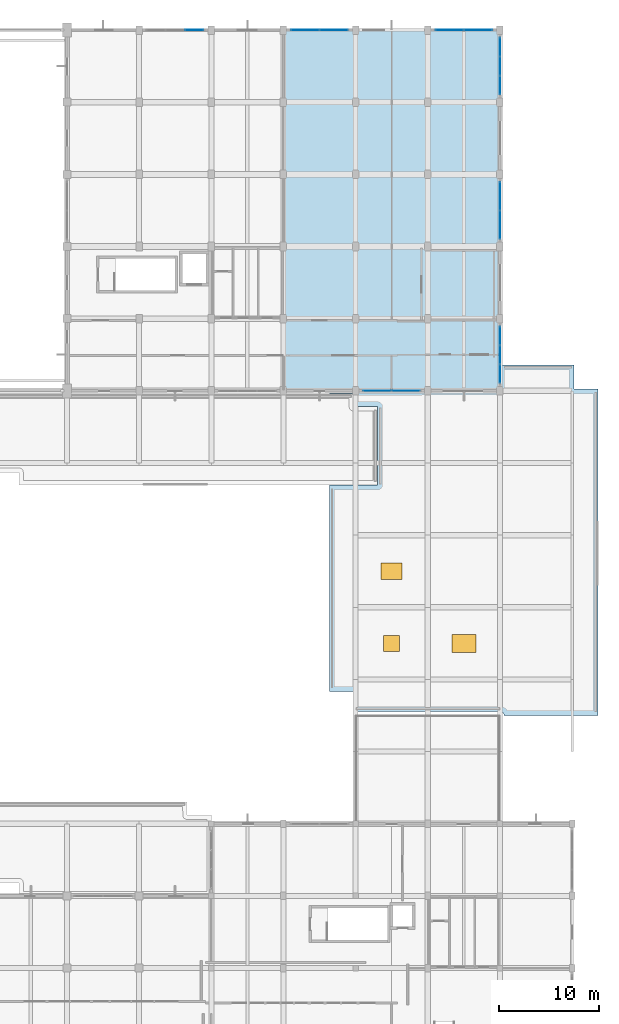
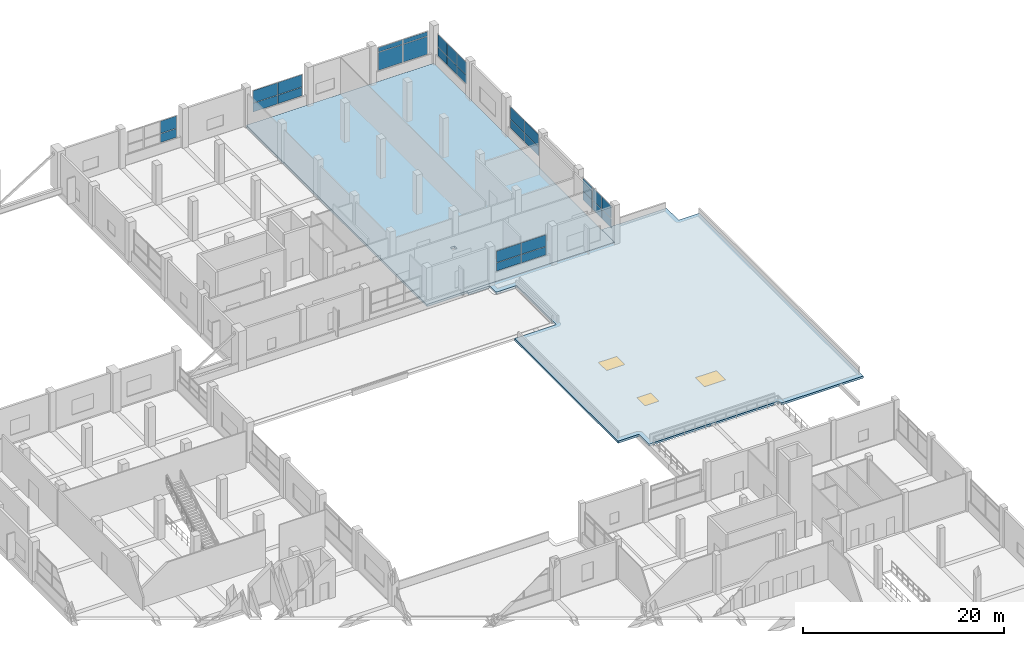
# One storey, part 115 of 140: 30 plates, 3 windows, 2 slabs, 3 openings, 7 elements without a shape of their own.
"""IFC4 building model written with IfcOpenShell, lengths in metres."""

from ifc_helpers import new_model, si_unit, direction, frame, origin, origin_2d, place, context, subcontext, project, spatial, polyline, rectangle, outline, extrude, material, layer, layer_set, type_object, element, fill, aggregate, save


model = new_model("IFC4")

# Units and contexts
model_context = context("Model", 3, precision=1e-05, world=origin(), true_north=direction((0.0, 1.0)))
body_context = subcontext(model_context, "Body", "Model", "MODEL_VIEW")
ifc_project = project(units=[si_unit("LENGTHUNIT", "METRE"), si_unit("AREAUNIT", "SQUARE_METRE"), si_unit("VOLUMEUNIT", "CUBIC_METRE"), si_unit("PLANEANGLEUNIT", "RADIAN"), si_unit("MASSUNIT", "GRAM", prefix="KILO")], contexts=[model_context])

# Site, building, storey
site_placement = place(None, origin())
site = spatial("IfcSite", under=ifc_project, at=site_placement, CompositionType="ELEMENT")
building_placement = place(site_placement, origin())
building = spatial("IfcBuilding", under=site, at=building_placement, Name="Seraya Terrace Polytechnic", CompositionType="ELEMENT")
storey_placement = place(building_placement, frame((0.0, 0.0, 9.60009765625)))
storey = spatial("IfcBuildingStorey", under=building, at=storey_placement, Name="L02", CompositionType="ELEMENT", Elevation=9.60009765625)

# Curtain wall, plates
ifc_material_1 = material(Name="Anodised aluminium EN AW-6063 T6", Category="aluminium")
ifc_layer_1 = layer(ifc_material_1, 0.179931640625, Name="CW-19")
ifc_layer_set_1 = layer_set([ifc_layer_1], Name="Anodised aluminium EN AW-6063 T6")
curtain_wall_type_1 = type_object("IfcCurtainWallType", Name="CW-19", PredefinedType="NOTDEFINED", material=ifc_layer_set_1)
curtain_wall_1_placement = place(storey_placement, origin())
curtain_wall_1 = element("IfcCurtainWall", 1, at=curtain_wall_1_placement, inside=storey, type_object=curtain_wall_type_1, Name="Unitised curtain wall CW-19 (CW-L02-091)", PredefinedType="NOTDEFINED")
ifc_material_2 = material(Name="Laminated solar-control Low-E double glazing", Category="glass")
ifc_layer_2 = layer(ifc_material_2, 0.028076171875, Name="CWP-01")
ifc_layer_set_2 = layer_set([ifc_layer_2], Name="Laminated solar-control Low-E double glazing")
plate_type_1 = type_object("IfcPlateType", Name="CWP-01", PredefinedType="CURTAIN_PANEL", material=ifc_layer_set_2)
plate_1_placement = place(storey_placement, frame((158.39990234375, 84.703857421875, 1.2998046875), z_axis=(0.0, 0.0, 1.0), x_axis=(0.0, -1.0, 0.0)))
plate_1 = element("IfcPlate", 2, at=plate_1_placement, type_object=plate_type_1, Name="CW-19 panel 1.1", PredefinedType="CURTAIN_PANEL", context=body_context, shape_type="SweptSolid", body=[
    extrude(rectangle(XDim=1.822509765625, YDim=0.028076171875, at=origin_2d()), origin(), (0.0, 0.0, 1.0), 1.073486328125),
])
plate_2_placement = place(storey_placement, frame((158.39990234375, 84.703857421875, 2.433349609375), z_axis=(0.0, 0.0, 1.0), x_axis=(0.0, -1.0, 0.0)))
plate_2 = element("IfcPlate", 3, at=plate_2_placement, type_object=plate_type_1, Name="CW-19 panel 1.2", PredefinedType="CURTAIN_PANEL", context=body_context, shape_type="SweptSolid", body=[
    extrude(rectangle(XDim=1.822509765625, YDim=0.028076171875, at=origin_2d()), origin(), (0.0, 0.0, 1.0), 1.5166015625),
])
plate_3_placement = place(storey_placement, frame((158.39990234375, 82.800048828125, 1.2998046875), z_axis=(0.0, 0.0, 1.0), x_axis=(0.0, -1.0, 0.0)))
plate_3 = element("IfcPlate", 4, at=plate_3_placement, type_object=plate_type_1, Name="CW-19 panel 2.1", PredefinedType="CURTAIN_PANEL", context=body_context, shape_type="SweptSolid", body=[
    extrude(rectangle(XDim=1.85498046875, YDim=0.028076171875, at=origin_2d()), origin(), (0.0, 0.0, 1.0), 1.073486328125),
])
plate_4_placement = place(storey_placement, frame((158.39990234375, 82.800048828125, 2.433349609375), z_axis=(0.0, 0.0, 1.0), x_axis=(0.0, -1.0, 0.0)))
plate_4 = element("IfcPlate", 5, at=plate_4_placement, type_object=plate_type_1, Name="CW-19 panel 2.2", PredefinedType="CURTAIN_PANEL", context=body_context, shape_type="SweptSolid", body=[
    extrude(rectangle(XDim=1.85498046875, YDim=0.028076171875, at=origin_2d()), origin(), (0.0, 0.0, 1.0), 1.5166015625),
])
plate_5_placement = place(storey_placement, frame((158.39990234375, 80.896240234375, 1.2998046875), z_axis=(0.0, 0.0, 1.0), x_axis=(0.0, -1.0, 0.0)))
plate_5 = element("IfcPlate", 6, at=plate_5_placement, type_object=plate_type_1, Name="CW-19 panel 3.1", PredefinedType="CURTAIN_PANEL", context=body_context, shape_type="SweptSolid", body=[
    extrude(rectangle(XDim=1.822509765625, YDim=0.028076171875, at=origin_2d()), origin(), (0.0, 0.0, 1.0), 1.073486328125),
])
plate_6_placement = place(storey_placement, frame((158.39990234375, 80.896240234375, 2.433349609375), z_axis=(0.0, 0.0, 1.0), x_axis=(0.0, -1.0, 0.0)))
plate_6 = element("IfcPlate", 7, at=plate_6_placement, type_object=plate_type_1, Name="CW-19 panel 3.2", PredefinedType="CURTAIN_PANEL", context=body_context, shape_type="SweptSolid", body=[
    extrude(rectangle(XDim=1.822509765625, YDim=0.028076171875, at=origin_2d()), origin(), (0.0, 0.0, 1.0), 1.5166015625),
])
aggregate(curtain_wall_1, [plate_1, plate_2, plate_3, plate_4, plate_5, plate_6])

ifc_layer_3 = layer(ifc_material_1, 0.179931640625, Name="CW-25")
ifc_layer_set_3 = layer_set([ifc_layer_3], Name="Anodised aluminium EN AW-6063 T6")
curtain_wall_type_2 = type_object("IfcCurtainWallType", Name="CW-25", PredefinedType="NOTDEFINED", material=ifc_layer_set_3)
curtain_wall_2_placement = place(storey_placement, origin())
curtain_wall_2 = element("IfcCurtainWall", 8, at=curtain_wall_2_placement, inside=storey, type_object=curtain_wall_type_2, Name="Unitised curtain wall CW-25 (CW-L02-097)", PredefinedType="NOTDEFINED")
plate_7_placement = place(storey_placement, frame((153.376220703125, 115.199951171875, 1.2998046875), z_axis=(0.0, 0.0, 1.0), x_axis=(1.0, 0.0, 0.0)))
plate_7 = element("IfcPlate", 9, at=plate_7_placement, type_object=plate_type_1, Name="CW-25 panel 1.1", PredefinedType="CURTAIN_PANEL", context=body_context, shape_type="SweptSolid", body=[
    extrude(rectangle(XDim=2.782470703125, YDim=0.028076171875, at=origin_2d()), origin(), (0.0, 0.0, 1.0), 2.159912109375),
])
plate_8_placement = place(storey_placement, frame((153.376220703125, 115.199951171875, 3.52001953125), z_axis=(0.0, 0.0, 1.0), x_axis=(1.0, 0.0, 0.0)))
plate_8 = element("IfcPlate", 10, at=plate_8_placement, type_object=plate_type_1, Name="CW-25 panel 1.2", PredefinedType="CURTAIN_PANEL", context=body_context, shape_type="SweptSolid", body=[
    extrude(rectangle(XDim=2.782470703125, YDim=0.028076171875, at=origin_2d()), origin(), (0.0, 0.0, 1.0), 0.530029296875),
])
plate_9_placement = place(storey_placement, frame((156.2236328125, 115.199951171875, 1.2998046875), z_axis=(0.0, 0.0, 1.0), x_axis=(1.0, 0.0, 0.0)))
plate_9 = element("IfcPlate", 11, at=plate_9_placement, type_object=plate_type_1, Name="CW-25 panel 2.1", PredefinedType="CURTAIN_PANEL", context=body_context, shape_type="SweptSolid", body=[
    extrude(rectangle(XDim=2.782470703125, YDim=0.028076171875, at=origin_2d()), origin(), (0.0, 0.0, 1.0), 2.159912109375),
])
plate_10_placement = place(storey_placement, frame((156.2236328125, 115.199951171875, 3.52001953125), z_axis=(0.0, 0.0, 1.0), x_axis=(1.0, 0.0, 0.0)))
plate_10 = element("IfcPlate", 12, at=plate_10_placement, type_object=plate_type_1, Name="CW-25 panel 2.2", PredefinedType="CURTAIN_PANEL", context=body_context, shape_type="SweptSolid", body=[
    extrude(rectangle(XDim=2.782470703125, YDim=0.028076171875, at=origin_2d()), origin(), (0.0, 0.0, 1.0), 0.530029296875),
])
aggregate(curtain_wall_2, [plate_7, plate_8, plate_9, plate_10])

ifc_layer_4 = layer(ifc_material_1, 0.179931640625, Name="CW-17")
ifc_layer_set_4 = layer_set([ifc_layer_4], Name="Anodised aluminium EN AW-6063 T6")
curtain_wall_type_3 = type_object("IfcCurtainWallType", Name="CW-17", PredefinedType="NOTDEFINED", material=ifc_layer_set_4)
curtain_wall_3_placement = place(storey_placement, origin())
curtain_wall_3 = element("IfcCurtainWall", 13, at=curtain_wall_3_placement, inside=storey, type_object=curtain_wall_type_3, Name="Unitised curtain wall CW-17 (CW-L02-089)", PredefinedType="NOTDEFINED")
ifc_layer_5 = layer(ifc_material_2, 0.031982421875, Name="CWP-02")
ifc_layer_set_5 = layer_set([ifc_layer_5], Name="Laminated solar-control Low-E double glazing")
plate_type_2 = type_object("IfcPlateType", Name="CWP-02", PredefinedType="CURTAIN_PANEL", material=ifc_layer_set_5)
plate_11_placement = place(storey_placement, frame((158.39990234375, 113.5048828125, 1.2998046875), z_axis=(0.0, 0.0, 1.0), x_axis=(0.0, -1.0, 0.0)))
plate_11 = element("IfcPlate", 14, at=plate_11_placement, type_object=plate_type_2, Name="CW-17 panel 1.1", PredefinedType="CURTAIN_PANEL", context=body_context, shape_type="SweptSolid", body=[
    extrude(rectangle(XDim=1.830078125, YDim=0.031982421875, at=origin_2d()), origin(), (0.0, 0.0, 1.0), 1.052490234375),
])
plate_12_placement = place(storey_placement, frame((158.39990234375, 113.5048828125, 2.412109375), z_axis=(0.0, 0.0, 1.0), x_axis=(0.0, -1.0, 0.0)))
plate_12 = element("IfcPlate", 15, at=plate_12_placement, type_object=plate_type_2, Name="CW-17 panel 1.2", PredefinedType="CURTAIN_PANEL", context=body_context, shape_type="SweptSolid", body=[
    extrude(rectangle(XDim=1.830078125, YDim=0.031982421875, at=origin_2d()), origin(), (0.0, 0.0, 1.0), 1.487548828125),
])
plate_13_placement = place(storey_placement, frame((158.39990234375, 111.60009765625, 1.2998046875), z_axis=(0.0, 0.0, 1.0), x_axis=(0.0, -1.0, 0.0)))
plate_13 = element("IfcPlate", 16, at=plate_13_placement, type_object=plate_type_2, Name="CW-17 panel 2.1", PredefinedType="CURTAIN_PANEL", context=body_context, shape_type="SweptSolid", body=[
    extrude(rectangle(XDim=1.860107421875, YDim=0.031982421875, at=origin_2d()), origin(), (0.0, 0.0, 1.0), 1.052490234375),
])
plate_14_placement = place(storey_placement, frame((158.39990234375, 111.60009765625, 2.412109375), z_axis=(0.0, 0.0, 1.0), x_axis=(0.0, -1.0, 0.0)))
plate_14 = element("IfcPlate", 17, at=plate_14_placement, type_object=plate_type_2, Name="CW-17 panel 2.2", PredefinedType="CURTAIN_PANEL", context=body_context, shape_type="SweptSolid", body=[
    extrude(rectangle(XDim=1.860107421875, YDim=0.031982421875, at=origin_2d()), origin(), (0.0, 0.0, 1.0), 1.487548828125),
])
plate_15_placement = place(storey_placement, frame((158.39990234375, 109.695068359375, 1.2998046875), z_axis=(0.0, 0.0, 1.0), x_axis=(0.0, -1.0, 0.0)))
plate_15 = element("IfcPlate", 18, at=plate_15_placement, type_object=plate_type_2, Name="CW-17 panel 3.1", PredefinedType="CURTAIN_PANEL", context=body_context, shape_type="SweptSolid", body=[
    extrude(rectangle(XDim=1.830078125, YDim=0.031982421875, at=origin_2d()), origin(), (0.0, 0.0, 1.0), 1.052490234375),
])
plate_16_placement = place(storey_placement, frame((158.39990234375, 109.695068359375, 2.412109375), z_axis=(0.0, 0.0, 1.0), x_axis=(0.0, -1.0, 0.0)))
plate_16 = element("IfcPlate", 19, at=plate_16_placement, type_object=plate_type_2, Name="CW-17 panel 3.2", PredefinedType="CURTAIN_PANEL", context=body_context, shape_type="SweptSolid", body=[
    extrude(rectangle(XDim=1.830078125, YDim=0.031982421875, at=origin_2d()), origin(), (0.0, 0.0, 1.0), 1.487548828125),
])
aggregate(curtain_wall_3, [plate_11, plate_12, plate_13, plate_14, plate_15, plate_16])

ifc_layer_6 = layer(ifc_material_1, 0.179931640625, Name="CW-20")
ifc_layer_set_6 = layer_set([ifc_layer_6], Name="Anodised aluminium EN AW-6063 T6")
curtain_wall_type_4 = type_object("IfcCurtainWallType", Name="CW-20", PredefinedType="NOTDEFINED", material=ifc_layer_set_6)
curtain_wall_4_placement = place(storey_placement, origin())
curtain_wall_4 = element("IfcCurtainWall", 20, at=curtain_wall_4_placement, inside=storey, type_object=curtain_wall_type_4, Name="Unitised curtain wall CW-20 (CW-L02-092)", PredefinedType="NOTDEFINED")
plate_17_placement = place(storey_placement, frame((149.02490234375, 79.199951171875, 1.2998046875), z_axis=(0.0, 0.0, 1.0), x_axis=(-1.0, 0.0, 0.0)))
plate_17 = element("IfcPlate", 21, at=plate_17_placement, type_object=plate_type_2, Name="CW-20 panel 1.1", PredefinedType="CURTAIN_PANEL", context=body_context, shape_type="SweptSolid", body=[
    extrude(rectangle(XDim=2.7900390625, YDim=0.031982421875, at=origin_2d()), origin(), (0.0, 0.0, 1.0), 0.976806640625),
])
plate_18_placement = place(storey_placement, frame((149.02490234375, 79.199951171875, 2.336669921875), z_axis=(0.0, 0.0, 1.0), x_axis=(-1.0, 0.0, 0.0)))
plate_18 = element("IfcPlate", 22, at=plate_18_placement, type_object=plate_type_2, Name="CW-20 panel 1.2", PredefinedType="CURTAIN_PANEL", context=body_context, shape_type="SweptSolid", body=[
    extrude(rectangle(XDim=2.7900390625, YDim=0.031982421875, at=origin_2d()), origin(), (0.0, 0.0, 1.0), 1.38330078125),
])
plate_19_placement = place(storey_placement, frame((146.175048828125, 79.199951171875, 1.2998046875), z_axis=(0.0, 0.0, 1.0), x_axis=(-1.0, 0.0, 0.0)))
plate_19 = element("IfcPlate", 23, at=plate_19_placement, type_object=plate_type_2, Name="CW-20 panel 2.1", PredefinedType="CURTAIN_PANEL", context=body_context, shape_type="SweptSolid", body=[
    extrude(rectangle(XDim=2.7900390625, YDim=0.031982421875, at=origin_2d()), origin(), (0.0, 0.0, 1.0), 0.976806640625),
])
plate_20_placement = place(storey_placement, frame((146.175048828125, 79.199951171875, 2.336669921875), z_axis=(0.0, 0.0, 1.0), x_axis=(-1.0, 0.0, 0.0)))
plate_20 = element("IfcPlate", 24, at=plate_20_placement, type_object=plate_type_2, Name="CW-20 panel 2.2", PredefinedType="CURTAIN_PANEL", context=body_context, shape_type="SweptSolid", body=[
    extrude(rectangle(XDim=2.7900390625, YDim=0.031982421875, at=origin_2d()), origin(), (0.0, 0.0, 1.0), 1.38330078125),
])
aggregate(curtain_wall_4, [plate_17, plate_18, plate_19, plate_20])

ifc_layer_7 = layer(ifc_material_1, 0.179931640625, Name="CW-23")
ifc_layer_set_7 = layer_set([ifc_layer_7], Name="Anodised aluminium EN AW-6063 T6")
curtain_wall_type_5 = type_object("IfcCurtainWallType", Name="CW-23", PredefinedType="NOTDEFINED", material=ifc_layer_set_7)
curtain_wall_5_placement = place(storey_placement, origin())
curtain_wall_5 = element("IfcCurtainWall", 25, at=curtain_wall_5_placement, inside=storey, type_object=curtain_wall_type_5, Name="Unitised curtain wall CW-23 (CW-L02-095)", PredefinedType="NOTDEFINED")
plate_21_placement = place(storey_placement, frame((127.905029296875, 115.199951171875, 1.2998046875), z_axis=(0.0, 0.0, 1.0), x_axis=(1.0, 0.0, 0.0)))
plate_21 = element("IfcPlate", 26, at=plate_21_placement, type_object=plate_type_2, Name="CW-23 panel 3.1", PredefinedType="CURTAIN_PANEL", context=body_context, shape_type="SweptSolid", body=[
    extrude(rectangle(XDim=1.830078125, YDim=0.031982421875, at=origin_2d()), origin(), (0.0, 0.0, 1.0), 1.052490234375),
])
plate_22_placement = place(storey_placement, frame((127.905029296875, 115.199951171875, 2.412109375), z_axis=(0.0, 0.0, 1.0), x_axis=(1.0, 0.0, 0.0)))
plate_22 = element("IfcPlate", 27, at=plate_22_placement, type_object=plate_type_2, Name="CW-23 panel 3.2", PredefinedType="CURTAIN_PANEL", context=body_context, shape_type="SweptSolid", body=[
    extrude(rectangle(XDim=1.830078125, YDim=0.031982421875, at=origin_2d()), origin(), (0.0, 0.0, 1.0), 1.487548828125),
])
aggregate(curtain_wall_5, [plate_21, plate_22])

ifc_layer_8 = layer(ifc_material_1, 0.179931640625, Name="CW-18")
ifc_layer_set_8 = layer_set([ifc_layer_8], Name="Anodised aluminium EN AW-6063 T6")
curtain_wall_type_6 = type_object("IfcCurtainWallType", Name="CW-18", PredefinedType="NOTDEFINED", material=ifc_layer_set_8)
curtain_wall_6_placement = place(storey_placement, origin())
curtain_wall_6 = element("IfcCurtainWall", 28, at=curtain_wall_6_placement, inside=storey, type_object=curtain_wall_type_6, Name="Unitised curtain wall CW-18 (CW-L02-090)", PredefinedType="NOTDEFINED")
ifc_layer_9 = layer(ifc_material_2, 0.035888671875, Name="CWP-03")
ifc_layer_set_9 = layer_set([ifc_layer_9], Name="Laminated solar-control Low-E double glazing")
plate_type_3 = type_object("IfcPlateType", Name="CWP-03", PredefinedType="CURTAIN_PANEL", material=ifc_layer_set_9)
plate_23_placement = place(storey_placement, frame((158.39990234375, 98.625, 1.294921875), z_axis=(0.0, 0.0, 1.0), x_axis=(0.0, -1.0, 0.0)))
plate_23 = element("IfcPlate", 29, at=plate_23_placement, type_object=plate_type_3, Name="CW-18 panel 1.1", PredefinedType="CURTAIN_PANEL", context=body_context, shape_type="SweptSolid", body=[
    extrude(rectangle(XDim=2.7900390625, YDim=0.035888671875, at=origin_2d()), origin(), (0.0, 0.0, 1.0), 1.043212890625),
])
plate_24_placement = place(storey_placement, frame((158.39990234375, 98.625, 2.39306640625), z_axis=(0.0, 0.0, 1.0), x_axis=(0.0, -1.0, 0.0)))
plate_24 = element("IfcPlate", 30, at=plate_24_placement, type_object=plate_type_3, Name="CW-18 panel 1.2", PredefinedType="CURTAIN_PANEL", context=body_context, shape_type="SweptSolid", body=[
    extrude(rectangle(XDim=2.7900390625, YDim=0.035888671875, at=origin_2d()), origin(), (0.0, 0.0, 1.0), 1.471923828125),
])
plate_25_placement = place(storey_placement, frame((158.39990234375, 95.77490234375, 1.294921875), z_axis=(0.0, 0.0, 1.0), x_axis=(0.0, -1.0, 0.0)))
plate_25 = element("IfcPlate", 31, at=plate_25_placement, type_object=plate_type_3, Name="CW-18 panel 2.1", PredefinedType="CURTAIN_PANEL", context=body_context, shape_type="SweptSolid", body=[
    extrude(rectangle(XDim=2.7900390625, YDim=0.035888671875, at=origin_2d()), origin(), (0.0, 0.0, 1.0), 1.043212890625),
])
plate_26_placement = place(storey_placement, frame((158.39990234375, 95.77490234375, 2.39306640625), z_axis=(0.0, 0.0, 1.0), x_axis=(0.0, -1.0, 0.0)))
plate_26 = element("IfcPlate", 32, at=plate_26_placement, type_object=plate_type_3, Name="CW-18 panel 2.2", PredefinedType="CURTAIN_PANEL", context=body_context, shape_type="SweptSolid", body=[
    extrude(rectangle(XDim=2.7900390625, YDim=0.035888671875, at=origin_2d()), origin(), (0.0, 0.0, 1.0), 1.471923828125),
])
aggregate(curtain_wall_6, [plate_23, plate_24, plate_25, plate_26])

ifc_layer_10 = layer(ifc_material_1, 0.179931640625, Name="CW-24")
ifc_layer_set_10 = layer_set([ifc_layer_10], Name="Anodised aluminium EN AW-6063 T6")
curtain_wall_type_7 = type_object("IfcCurtainWallType", Name="CW-24", PredefinedType="NOTDEFINED", material=ifc_layer_set_10)
curtain_wall_7_placement = place(storey_placement, origin())
curtain_wall_7 = element("IfcCurtainWall", 33, at=curtain_wall_7_placement, inside=storey, type_object=curtain_wall_type_7, Name="Unitised curtain wall CW-24 (CW-L02-096)", PredefinedType="NOTDEFINED")
plate_27_placement = place(storey_placement, frame((138.97509765625, 115.199951171875, 1.294921875), z_axis=(0.0, 0.0, 1.0), x_axis=(1.0, 0.0, 0.0)))
plate_27 = element("IfcPlate", 34, at=plate_27_placement, type_object=plate_type_3, Name="CW-24 panel 1.1", PredefinedType="CURTAIN_PANEL", context=body_context, shape_type="SweptSolid", body=[
    extrude(rectangle(XDim=2.7900390625, YDim=0.035888671875, at=origin_2d()), origin(), (0.0, 0.0, 1.0), 1.043212890625),
])
plate_28_placement = place(storey_placement, frame((138.97509765625, 115.199951171875, 2.39306640625), z_axis=(0.0, 0.0, 1.0), x_axis=(1.0, 0.0, 0.0)))
plate_28 = element("IfcPlate", 35, at=plate_28_placement, type_object=plate_type_3, Name="CW-24 panel 1.2", PredefinedType="CURTAIN_PANEL", context=body_context, shape_type="SweptSolid", body=[
    extrude(rectangle(XDim=2.7900390625, YDim=0.035888671875, at=origin_2d()), origin(), (0.0, 0.0, 1.0), 1.471923828125),
])
plate_29_placement = place(storey_placement, frame((141.824951171875, 115.199951171875, 1.294921875), z_axis=(0.0, 0.0, 1.0), x_axis=(1.0, 0.0, 0.0)))
plate_29 = element("IfcPlate", 36, at=plate_29_placement, type_object=plate_type_3, Name="CW-24 panel 2.1", PredefinedType="CURTAIN_PANEL", context=body_context, shape_type="SweptSolid", body=[
    extrude(rectangle(XDim=2.7900390625, YDim=0.035888671875, at=origin_2d()), origin(), (0.0, 0.0, 1.0), 1.043212890625),
])
plate_30_placement = place(storey_placement, frame((141.824951171875, 115.199951171875, 2.39306640625), z_axis=(0.0, 0.0, 1.0), x_axis=(1.0, 0.0, 0.0)))
plate_30 = element("IfcPlate", 37, at=plate_30_placement, type_object=plate_type_3, Name="CW-24 panel 2.2", PredefinedType="CURTAIN_PANEL", context=body_context, shape_type="SweptSolid", body=[
    extrude(rectangle(XDim=2.7900390625, YDim=0.035888671875, at=origin_2d()), origin(), (0.0, 0.0, 1.0), 1.471923828125),
])
aggregate(curtain_wall_7, [plate_27, plate_28, plate_29, plate_30])

# Slab
ifc_material_3 = material(Name="Concrete C40/50", Category="concrete")
ifc_layer_11 = layer(ifc_material_3, 0.2900390625, Name="FS-01")
ifc_layer_set_11 = layer_set([ifc_layer_11], Name="Concrete C40/50")
slab_type_1 = type_object("IfcSlabType", Name="FS-01", PredefinedType="FLOOR", material=ifc_layer_set_11)
slab_1_placement = place(storey_placement, frame((0.0, 0.0, -0.2900390625)))
element("IfcSlab", 38, at=slab_1_placement, inside=storey, type_object=slab_type_1, Name="Floor slab SLB-V1-ANNEX-L02-S2 (FS-01)", PredefinedType="FLOOR", context=body_context, shape_type="SweptSolid", body=[
    extrude(outline(polyline([(158.340087890625, 115.139892578125), (158.340087890625, 79.260009765625), (136.804931640625, 79.260009765625), (136.804931640625, 115.139892578125), (158.340087890625, 115.139892578125)]), holes=[polyline([(143.75, 86.64990234375), (143.75, 86.14990234375), (144.25, 86.14990234375), (144.25, 86.64990234375), (143.75, 86.64990234375)])]), origin(), (0.0, 0.0, 1.0), 0.2900390625),
])

# Slab, openings, windows
ifc_material_4 = material(Name="Precast concrete C40/50", Category="concrete")
ifc_layer_12 = layer(ifc_material_4, 0.25, Name="RS-01")
ifc_layer_set_12 = layer_set([ifc_layer_12], Name="Precast concrete C40/50")
slab_type_2 = type_object("IfcSlabType", Name="RS-01", PredefinedType="ROOF", material=ifc_layer_set_12)
slab_2_placement = place(storey_placement, frame((0.0, 0.0, -0.25)))
slab_2 = element("IfcSlab", 39, at=slab_2_placement, inside=storey, type_object=slab_type_2, Name="Sculpted overhanging precast roof plate ROOF-L02-EAST", PredefinedType="ROOF", context=body_context, shape_type="SweptSolid", body=[
    extrude(outline(polyline([(165.800048828125, 81.800048828125), (165.800048828125, 79.39990234375), (168.199951171875, 79.39990234375), (168.199951171875, 46.800048828125), (158.820068359375, 46.800048828125), (158.81201171875, 46.8818359375), (158.7880859375, 46.960693359375), (158.749267578125, 47.033203125), (158.697021484375, 47.096923828125), (158.63330078125, 47.149169921875), (158.560791015625, 47.18798828125), (158.48193359375, 47.2119140625), (158.39990234375, 47.219970703125), (144.0, 47.219970703125), (143.878173828125, 47.201904296875), (143.800048828125, 47.169189453125), (143.800048828125, 49.199951171875), (141.39990234375, 49.199951171875), (141.39990234375, 69.794921875), (146.2041015625, 69.797119140625), (146.205078125, 77.62646484375), (143.804931640625, 77.631103515625), (143.802734375, 78.904296875), (141.39990234375, 78.905029296875), (141.39990234375, 79.2548828125), (158.340576171875, 79.2548828125), (158.344970703125, 81.800048828125), (165.800048828125, 81.800048828125)])), origin(), (0.0, 0.0, 1.0), 0.25),
])
opening_1_placement = place(slab_2_placement, frame((147.60009765625, 54.0, -0.011962890625)))
opening_1 = element("IfcOpeningElement", 40, at=opening_1_placement, cuts=slab_2, Name="Opening SK-01", PredefinedType="OPENING", context=body_context, shape_type="SweptSolid", body=[
    extrude(rectangle(XDim=1.60009765625, YDim=1.60009765625, at=origin_2d()), origin(), (0.0, 0.0, 1.0), 0.27392578125),
])
opening_2_placement = place(slab_2_placement, frame((147.60009765625, 61.199951171875, -0.011962890625)))
opening_2 = element("IfcOpeningElement", 41, at=opening_2_placement, cuts=slab_2, Name="Opening SK-02", PredefinedType="OPENING", context=body_context, shape_type="SweptSolid", body=[
    extrude(rectangle(XDim=2.10009765625, YDim=1.60009765625, at=origin_2d()), origin(), (0.0, 0.0, 1.0), 0.27392578125),
])
opening_3_placement = place(slab_2_placement, frame((154.800048828125, 54.0, -0.011962890625)))
opening_3 = element("IfcOpeningElement", 42, at=opening_3_placement, cuts=slab_2, Name="Opening SK-03", PredefinedType="OPENING", context=body_context, shape_type="SweptSolid", body=[
    extrude(rectangle(XDim=2.39990234375, YDim=1.800048828125, at=origin_2d()), origin(), (0.0, 0.0, 1.0), 0.27392578125),
])
window_type_1 = type_object("IfcWindowType", Name="SK-01", PartitioningType="SINGLE_PANEL", PredefinedType="SKYLIGHT", material=ifc_material_2)
window_1_placement = place(slab_2_placement, frame((147.60009765625, 54.0, 0.199951171875)))
window_1 = element("IfcWindow", 43, at=window_1_placement, inside=storey, type_object=window_type_1, Name="Roof skylight and smoke hatch SK-01 #1", OverallHeight=1.60009765625, OverallWidth=1.60009765625, PartitioningType="SINGLE_PANEL", PredefinedType="SKYLIGHT", context=body_context, shape_type="SweptSolid", body=[
    extrude(rectangle(XDim=1.60009765625, YDim=1.60009765625, at=origin_2d()), origin(), (0.0, 0.0, 1.0), 0.050048828125),
])
fill(opening_1, window_1)
window_type_2 = type_object("IfcWindowType", Name="SK-02", PartitioningType="SINGLE_PANEL", PredefinedType="SKYLIGHT", material=ifc_material_2)
window_2_placement = place(slab_2_placement, frame((147.60009765625, 61.199951171875, 0.199951171875)))
window_2 = element("IfcWindow", 44, at=window_2_placement, inside=storey, type_object=window_type_2, Name="Roof skylight and smoke hatch SK-02 #2", OverallHeight=1.60009765625, OverallWidth=2.10009765625, PartitioningType="SINGLE_PANEL", PredefinedType="SKYLIGHT", context=body_context, shape_type="SweptSolid", body=[
    extrude(rectangle(XDim=2.10009765625, YDim=1.60009765625, at=origin_2d()), origin(), (0.0, 0.0, 1.0), 0.050048828125),
])
fill(opening_2, window_2)
window_type_3 = type_object("IfcWindowType", Name="SK-03", PartitioningType="SINGLE_PANEL", PredefinedType="SKYLIGHT", material=ifc_material_2)
window_3_placement = place(slab_2_placement, frame((154.800048828125, 54.0, 0.199951171875)))
window_3 = element("IfcWindow", 45, at=window_3_placement, inside=storey, type_object=window_type_3, Name="Roof skylight and smoke hatch SK-03 #3", OverallHeight=1.800048828125, OverallWidth=2.39990234375, PartitioningType="SINGLE_PANEL", PredefinedType="SKYLIGHT", context=body_context, shape_type="SweptSolid", body=[
    extrude(rectangle(XDim=2.39990234375, YDim=1.800048828125, at=origin_2d()), origin(), (0.0, 0.0, 1.0), 0.050048828125),
])
fill(opening_3, window_3)

save(model, "model.ifc")
